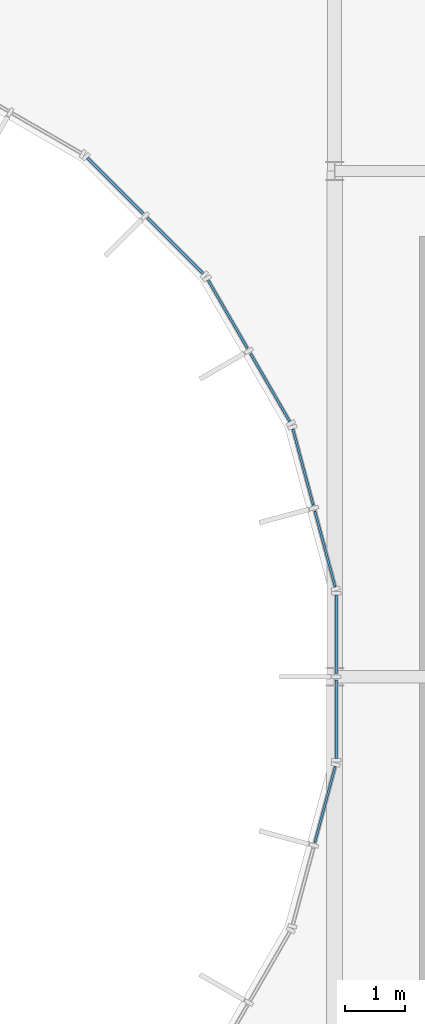
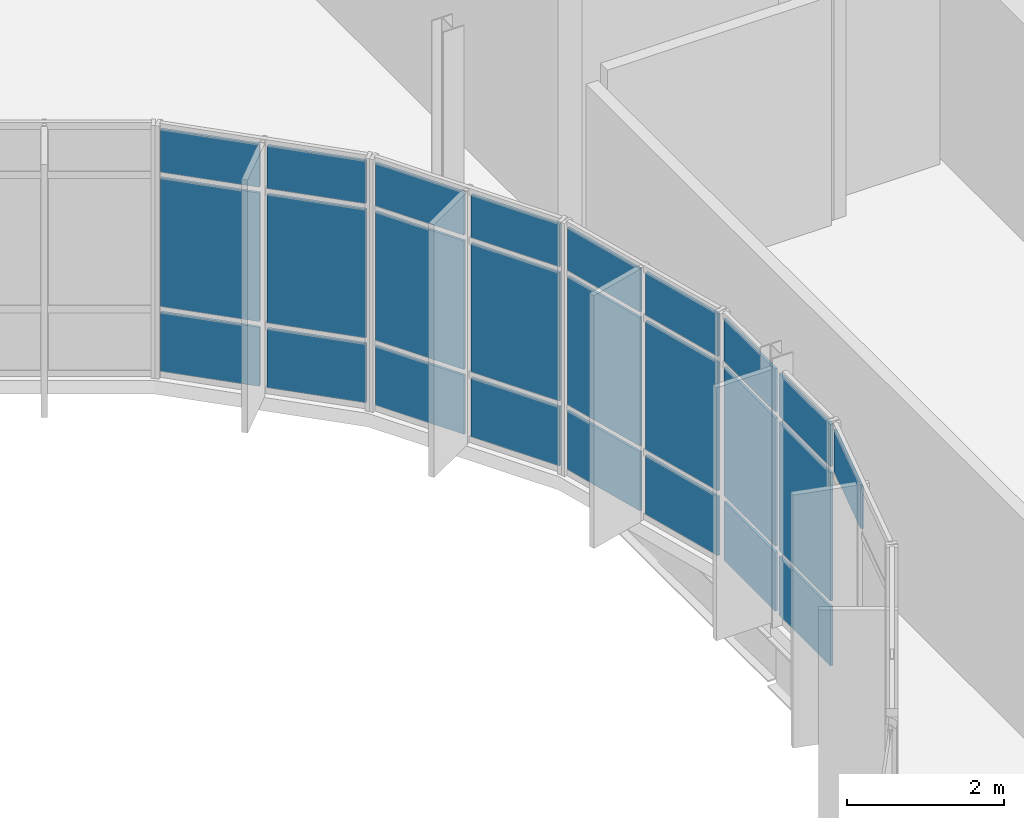
# One storey, part 30 of 52: 25 plates, 5 elements without a shape of their own.
"""IFC4 building model written with IfcOpenShell, lengths in metres."""

from ifc_helpers import new_model, si_unit, direction, frame, origin, origin_2d, place, context, subcontext, project, spatial, rectangle, extrude, material, layer, layer_set, type_object, element, aggregate, save


model = new_model("IFC4")

# Units and contexts
model_context = context("Model", 3, precision=1e-05, world=origin(), true_north=direction((0.0, 1.0)))
body_context = subcontext(model_context, "Body", "Model", "MODEL_VIEW")
ifc_project = project(units=[si_unit("LENGTHUNIT", "METRE"), si_unit("AREAUNIT", "SQUARE_METRE"), si_unit("VOLUMEUNIT", "CUBIC_METRE"), si_unit("PLANEANGLEUNIT", "RADIAN"), si_unit("MASSUNIT", "GRAM", prefix="KILO")], contexts=[model_context])

# Site, building, storey
site_placement = place(None, origin())
site = spatial("IfcSite", under=ifc_project, at=site_placement, CompositionType="ELEMENT")
building_placement = place(site_placement, origin())
building = spatial("IfcBuilding", under=site, at=building_placement, Name="Qelthora Terrace Specialist Clinic", CompositionType="ELEMENT")
storey_placement = place(building_placement, frame((0.0, 0.0, 17.39990234375)))
storey = spatial("IfcBuildingStorey", under=building, at=storey_placement, Name="L04", CompositionType="ELEMENT", Elevation=17.39990234375)

# Curtain wall, plates
ifc_material_1 = material(Name="Aluminium anodized bronze", Category="aluminium")
curtain_wall_type = type_object("IfcCurtainWallType", Name="CW-CRTW-UPP", PredefinedType="NOTDEFINED", material=ifc_material_1)
curtain_wall_1_placement = place(storey_placement, origin())
curtain_wall_1 = element("IfcCurtainWall", 1, at=curtain_wall_1_placement, inside=storey, type_object=curtain_wall_type, Name="Curtain wall CW-CW-L04-01", PredefinedType="NOTDEFINED")
ifc_material_2 = material(Name="Low-E triple-silver insulating glass", Category="glass")
ifc_layer = layer(ifc_material_2, 0.035888671875)
ifc_layer_set = layer_set([ifc_layer], Name="Low-E triple-silver insulating glass")
plate_type = type_object("IfcPlateType", Name="CWP-IGU-36", PredefinedType="CURTAIN_PANEL", material=ifc_layer_set)
plate_1_placement = place(storey_placement, frame((35.841064453125, 86.12158203125, 0.085205078125), z_axis=(0.0, 0.0, 1.0), x_axis=(-0.258820730961, 0.965925374563, 0.0)))
plate_1 = element("IfcPlate", 2, at=plate_1_placement, type_object=plate_type, Name="CW-CW-L04-01 glazed panel 1", PredefinedType="CURTAIN_PANEL", context=body_context, shape_type="SweptSolid", body=[
    extrude(rectangle(XDim=1.3095703125, YDim=0.035888671875, at=origin_2d()), origin(), (0.0, 0.0, 1.0), 0.919921875),
])
plate_2_placement = place(storey_placement, frame((35.841064453125, 86.12158203125, 1.09521484375), z_axis=(0.0, 0.0, 1.0), x_axis=(-0.258820730961, 0.965925374563, 0.0)))
plate_2 = element("IfcPlate", 3, at=plate_2_placement, type_object=plate_type, Name="CW-CW-L04-01 glazed panel 2", PredefinedType="CURTAIN_PANEL", context=body_context, shape_type="SweptSolid", body=[
    extrude(rectangle(XDim=1.3095703125, YDim=0.035888671875, at=origin_2d()), origin(), (0.0, 0.0, 1.0), 2.0048828125),
])
plate_3_placement = place(storey_placement, frame((35.841064453125, 86.12158203125, 3.190185546875), z_axis=(0.0, 0.0, 1.0), x_axis=(-0.258820730961, 0.965925374563, 0.0)))
plate_3 = element("IfcPlate", 4, at=plate_3_placement, type_object=plate_type, Name="CW-CW-L04-01 glazed panel 3", PredefinedType="CURTAIN_PANEL", context=body_context, shape_type="SweptSolid", body=[
    extrude(rectangle(XDim=1.3095703125, YDim=0.035888671875, at=origin_2d()), origin(), (0.0, 0.0, 1.0), 0.669921875),
])
plate_4_placement = place(storey_placement, frame((35.476318359375, 87.483154296875, 0.085205078125), z_axis=(0.0, 0.0, 1.0), x_axis=(-0.258820730961, 0.965925374563, 0.0)))
plate_4 = element("IfcPlate", 5, at=plate_4_placement, type_object=plate_type, Name="CW-CW-L04-01 glazed panel 4", PredefinedType="CURTAIN_PANEL", context=body_context, shape_type="SweptSolid", body=[
    extrude(rectangle(XDim=1.3095703125, YDim=0.035888671875, at=origin_2d()), origin(), (0.0, 0.0, 1.0), 0.919921875),
])
plate_5_placement = place(storey_placement, frame((35.476318359375, 87.483154296875, 1.09521484375), z_axis=(0.0, 0.0, 1.0), x_axis=(-0.258820730961, 0.965925374563, 0.0)))
plate_5 = element("IfcPlate", 6, at=plate_5_placement, type_object=plate_type, Name="CW-CW-L04-01 glazed panel 5", PredefinedType="CURTAIN_PANEL", context=body_context, shape_type="SweptSolid", body=[
    extrude(rectangle(XDim=1.3095703125, YDim=0.035888671875, at=origin_2d()), origin(), (0.0, 0.0, 1.0), 2.0048828125),
])
plate_6_placement = place(storey_placement, frame((35.476318359375, 87.483154296875, 3.190185546875), z_axis=(0.0, 0.0, 1.0), x_axis=(-0.258820730961, 0.965925374563, 0.0)))
plate_6 = element("IfcPlate", 7, at=plate_6_placement, type_object=plate_type, Name="CW-CW-L04-01 glazed panel 6", PredefinedType="CURTAIN_PANEL", context=body_context, shape_type="SweptSolid", body=[
    extrude(rectangle(XDim=1.3095703125, YDim=0.035888671875, at=origin_2d()), origin(), (0.0, 0.0, 1.0), 0.669921875),
])
aggregate(curtain_wall_1, [plate_1, plate_2, plate_3, plate_4, plate_5, plate_6])

curtain_wall_2_placement = place(storey_placement, origin())
curtain_wall_2 = element("IfcCurtainWall", 8, at=curtain_wall_2_placement, inside=storey, type_object=curtain_wall_type, Name="Curtain wall CW-CW-L04-02", PredefinedType="NOTDEFINED")
plate_7_placement = place(storey_placement, frame((34.929443359375, 88.803466796875, 0.085205078125), z_axis=(0.0, 0.0, 1.0), x_axis=(-0.5, 0.866025403784, 0.0)))
plate_7 = element("IfcPlate", 9, at=plate_7_placement, type_object=plate_type, Name="CW-CW-L04-02 glazed panel 1", PredefinedType="CURTAIN_PANEL", context=body_context, shape_type="SweptSolid", body=[
    extrude(rectangle(XDim=1.3095703125, YDim=0.035888671875, at=origin_2d()), origin(), (0.0, 0.0, 1.0), 0.919921875),
])
plate_8_placement = place(storey_placement, frame((34.929443359375, 88.803466796875, 1.09521484375), z_axis=(0.0, 0.0, 1.0), x_axis=(-0.5, 0.866025403784, 0.0)))
plate_8 = element("IfcPlate", 10, at=plate_8_placement, type_object=plate_type, Name="CW-CW-L04-02 glazed panel 2", PredefinedType="CURTAIN_PANEL", context=body_context, shape_type="SweptSolid", body=[
    extrude(rectangle(XDim=1.3095703125, YDim=0.035888671875, at=origin_2d()), origin(), (0.0, 0.0, 1.0), 2.0048828125),
])
plate_9_placement = place(storey_placement, frame((34.929443359375, 88.803466796875, 3.190185546875), z_axis=(0.0, 0.0, 1.0), x_axis=(-0.5, 0.866025403784, 0.0)))
plate_9 = element("IfcPlate", 11, at=plate_9_placement, type_object=plate_type, Name="CW-CW-L04-02 glazed panel 3", PredefinedType="CURTAIN_PANEL", context=body_context, shape_type="SweptSolid", body=[
    extrude(rectangle(XDim=1.3095703125, YDim=0.035888671875, at=origin_2d()), origin(), (0.0, 0.0, 1.0), 0.669921875),
])
plate_10_placement = place(storey_placement, frame((34.224609375, 90.024169921875, 0.085205078125), z_axis=(0.0, 0.0, 1.0), x_axis=(-0.5, 0.866025403784, 0.0)))
plate_10 = element("IfcPlate", 12, at=plate_10_placement, type_object=plate_type, Name="CW-CW-L04-02 glazed panel 4", PredefinedType="CURTAIN_PANEL", context=body_context, shape_type="SweptSolid", body=[
    extrude(rectangle(XDim=1.3095703125, YDim=0.035888671875, at=origin_2d()), origin(), (0.0, 0.0, 1.0), 0.919921875),
])
plate_11_placement = place(storey_placement, frame((34.224609375, 90.024169921875, 1.09521484375), z_axis=(0.0, 0.0, 1.0), x_axis=(-0.5, 0.866025403784, 0.0)))
plate_11 = element("IfcPlate", 13, at=plate_11_placement, type_object=plate_type, Name="CW-CW-L04-02 glazed panel 5", PredefinedType="CURTAIN_PANEL", context=body_context, shape_type="SweptSolid", body=[
    extrude(rectangle(XDim=1.3095703125, YDim=0.035888671875, at=origin_2d()), origin(), (0.0, 0.0, 1.0), 2.0048828125),
])
plate_12_placement = place(storey_placement, frame((34.224609375, 90.024169921875, 3.190185546875), z_axis=(0.0, 0.0, 1.0), x_axis=(-0.5, 0.866025403784, 0.0)))
plate_12 = element("IfcPlate", 14, at=plate_12_placement, type_object=plate_type, Name="CW-CW-L04-02 glazed panel 6", PredefinedType="CURTAIN_PANEL", context=body_context, shape_type="SweptSolid", body=[
    extrude(rectangle(XDim=1.3095703125, YDim=0.035888671875, at=origin_2d()), origin(), (0.0, 0.0, 1.0), 0.669921875),
])
aggregate(curtain_wall_2, [plate_7, plate_8, plate_9, plate_10, plate_11, plate_12])

curtain_wall_3_placement = place(storey_placement, origin())
curtain_wall_3 = element("IfcCurtainWall", 15, at=curtain_wall_3_placement, inside=storey, type_object=curtain_wall_type, Name="Curtain wall CW-CW-L04-03", PredefinedType="NOTDEFINED")
plate_13_placement = place(storey_placement, frame((33.354736328125, 91.157958984375, 0.085205078125), z_axis=(0.0, 0.0, 1.0), x_axis=(-0.707106781187, 0.707106781187, 0.0)))
plate_13 = element("IfcPlate", 16, at=plate_13_placement, type_object=plate_type, Name="CW-CW-L04-03 glazed panel 1", PredefinedType="CURTAIN_PANEL", context=body_context, shape_type="SweptSolid", body=[
    extrude(rectangle(XDim=1.3095703125, YDim=0.035888671875, at=origin_2d()), origin(), (0.0, 0.0, 1.0), 0.919921875),
])
plate_14_placement = place(storey_placement, frame((33.354736328125, 91.157958984375, 1.09521484375), z_axis=(0.0, 0.0, 1.0), x_axis=(-0.707106781187, 0.707106781187, 0.0)))
plate_14 = element("IfcPlate", 17, at=plate_14_placement, type_object=plate_type, Name="CW-CW-L04-03 glazed panel 2", PredefinedType="CURTAIN_PANEL", context=body_context, shape_type="SweptSolid", body=[
    extrude(rectangle(XDim=1.3095703125, YDim=0.035888671875, at=origin_2d()), origin(), (0.0, 0.0, 1.0), 2.0048828125),
])
plate_15_placement = place(storey_placement, frame((33.354736328125, 91.157958984375, 3.190185546875), z_axis=(0.0, 0.0, 1.0), x_axis=(-0.707106781187, 0.707106781187, 0.0)))
plate_15 = element("IfcPlate", 18, at=plate_15_placement, type_object=plate_type, Name="CW-CW-L04-03 glazed panel 3", PredefinedType="CURTAIN_PANEL", context=body_context, shape_type="SweptSolid", body=[
    extrude(rectangle(XDim=1.3095703125, YDim=0.035888671875, at=origin_2d()), origin(), (0.0, 0.0, 1.0), 0.669921875),
])
plate_16_placement = place(storey_placement, frame((32.35791015625, 92.15478515625, 0.085205078125), z_axis=(0.0, 0.0, 1.0), x_axis=(-0.707106781187, 0.707106781187, 0.0)))
plate_16 = element("IfcPlate", 19, at=plate_16_placement, type_object=plate_type, Name="CW-CW-L04-03 glazed panel 4", PredefinedType="CURTAIN_PANEL", context=body_context, shape_type="SweptSolid", body=[
    extrude(rectangle(XDim=1.3095703125, YDim=0.035888671875, at=origin_2d()), origin(), (0.0, 0.0, 1.0), 0.919921875),
])
plate_17_placement = place(storey_placement, frame((32.35791015625, 92.15478515625, 1.09521484375), z_axis=(0.0, 0.0, 1.0), x_axis=(-0.707106781187, 0.707106781187, 0.0)))
plate_17 = element("IfcPlate", 20, at=plate_17_placement, type_object=plate_type, Name="CW-CW-L04-03 glazed panel 5", PredefinedType="CURTAIN_PANEL", context=body_context, shape_type="SweptSolid", body=[
    extrude(rectangle(XDim=1.3095703125, YDim=0.035888671875, at=origin_2d()), origin(), (0.0, 0.0, 1.0), 2.0048828125),
])
plate_18_placement = place(storey_placement, frame((32.35791015625, 92.15478515625, 3.190185546875), z_axis=(0.0, 0.0, 1.0), x_axis=(-0.707106781187, 0.707106781187, 0.0)))
plate_18 = element("IfcPlate", 21, at=plate_18_placement, type_object=plate_type, Name="CW-CW-L04-03 glazed panel 6", PredefinedType="CURTAIN_PANEL", context=body_context, shape_type="SweptSolid", body=[
    extrude(rectangle(XDim=1.3095703125, YDim=0.035888671875, at=origin_2d()), origin(), (0.0, 0.0, 1.0), 0.669921875),
])
aggregate(curtain_wall_3, [plate_13, plate_14, plate_15, plate_16, plate_17, plate_18])

# Curtain wall, plate
curtain_wall_4_placement = place(storey_placement, origin())
curtain_wall_4 = element("IfcCurtainWall", 22, at=curtain_wall_4_placement, inside=storey, type_object=curtain_wall_type, Name="Curtain wall CW-CW-L04-23", PredefinedType="NOTDEFINED")
plate_19_placement = place(storey_placement, frame((35.841064453125, 81.87841796875, 3.190185546875), z_axis=(0.0, 0.0, 1.0), x_axis=(0.258820730961, 0.965925374563, 0.0)))
plate_19 = element("IfcPlate", 23, at=plate_19_placement, type_object=plate_type, Name="CW-CW-L04-23 glazed panel 6", PredefinedType="CURTAIN_PANEL", context=body_context, shape_type="SweptSolid", body=[
    extrude(rectangle(XDim=1.3095703125, YDim=0.035888671875, at=origin_2d()), origin(), (0.0, 0.0, 1.0), 0.669921875),
])
aggregate(curtain_wall_4, [plate_19])

# Curtain wall, plates
curtain_wall_5_placement = place(storey_placement, origin())
curtain_wall_5 = element("IfcCurtainWall", 24, at=curtain_wall_5_placement, inside=storey, type_object=curtain_wall_type, Name="Curtain wall CW-CW-L04-24", PredefinedType="NOTDEFINED")
plate_20_placement = place(storey_placement, frame((36.027587890625, 83.295166015625, 0.085205078125), z_axis=(0.0, 0.0, 1.0), x_axis=(0.0, 1.0, 0.0)))
plate_20 = element("IfcPlate", 25, at=plate_20_placement, type_object=plate_type, Name="CW-CW-L04-24 glazed panel 1", PredefinedType="CURTAIN_PANEL", context=body_context, shape_type="SweptSolid", body=[
    extrude(rectangle(XDim=1.3095703125, YDim=0.035888671875, at=origin_2d()), origin(), (0.0, 0.0, 1.0), 0.919921875),
])
plate_21_placement = place(storey_placement, frame((36.027587890625, 83.295166015625, 1.09521484375), z_axis=(0.0, 0.0, 1.0), x_axis=(0.0, 1.0, 0.0)))
plate_21 = element("IfcPlate", 26, at=plate_21_placement, type_object=plate_type, Name="CW-CW-L04-24 glazed panel 2", PredefinedType="CURTAIN_PANEL", context=body_context, shape_type="SweptSolid", body=[
    extrude(rectangle(XDim=1.3095703125, YDim=0.035888671875, at=origin_2d()), origin(), (0.0, 0.0, 1.0), 2.0048828125),
])
plate_22_placement = place(storey_placement, frame((36.027587890625, 83.295166015625, 3.190185546875), z_axis=(0.0, 0.0, 1.0), x_axis=(0.0, 1.0, 0.0)))
plate_22 = element("IfcPlate", 27, at=plate_22_placement, type_object=plate_type, Name="CW-CW-L04-24 glazed panel 3", PredefinedType="CURTAIN_PANEL", context=body_context, shape_type="SweptSolid", body=[
    extrude(rectangle(XDim=1.3095703125, YDim=0.035888671875, at=origin_2d()), origin(), (0.0, 0.0, 1.0), 0.669921875),
])
plate_23_placement = place(storey_placement, frame((36.027587890625, 84.704833984375, 0.085205078125), z_axis=(0.0, 0.0, 1.0), x_axis=(0.0, 1.0, 0.0)))
plate_23 = element("IfcPlate", 28, at=plate_23_placement, type_object=plate_type, Name="CW-CW-L04-24 glazed panel 4", PredefinedType="CURTAIN_PANEL", context=body_context, shape_type="SweptSolid", body=[
    extrude(rectangle(XDim=1.3095703125, YDim=0.035888671875, at=origin_2d()), origin(), (0.0, 0.0, 1.0), 0.919921875),
])
plate_24_placement = place(storey_placement, frame((36.027587890625, 84.704833984375, 1.09521484375), z_axis=(0.0, 0.0, 1.0), x_axis=(0.0, 1.0, 0.0)))
plate_24 = element("IfcPlate", 29, at=plate_24_placement, type_object=plate_type, Name="CW-CW-L04-24 glazed panel 5", PredefinedType="CURTAIN_PANEL", context=body_context, shape_type="SweptSolid", body=[
    extrude(rectangle(XDim=1.3095703125, YDim=0.035888671875, at=origin_2d()), origin(), (0.0, 0.0, 1.0), 2.0048828125),
])
plate_25_placement = place(storey_placement, frame((36.027587890625, 84.704833984375, 3.190185546875), z_axis=(0.0, 0.0, 1.0), x_axis=(0.0, 1.0, 0.0)))
plate_25 = element("IfcPlate", 30, at=plate_25_placement, type_object=plate_type, Name="CW-CW-L04-24 glazed panel 6", PredefinedType="CURTAIN_PANEL", context=body_context, shape_type="SweptSolid", body=[
    extrude(rectangle(XDim=1.3095703125, YDim=0.035888671875, at=origin_2d()), origin(), (0.0, 0.0, 1.0), 0.669921875),
])
aggregate(curtain_wall_5, [plate_20, plate_21, plate_22, plate_23, plate_24, plate_25])

save(model, "model.ifc")
